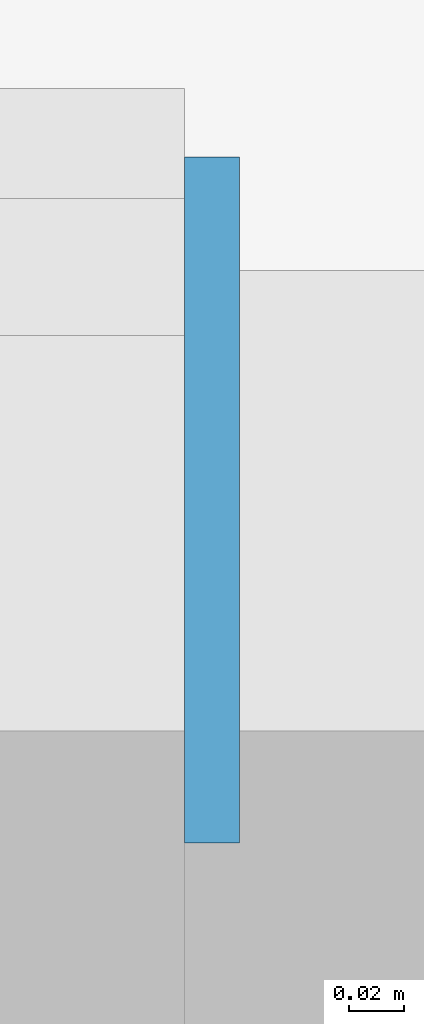
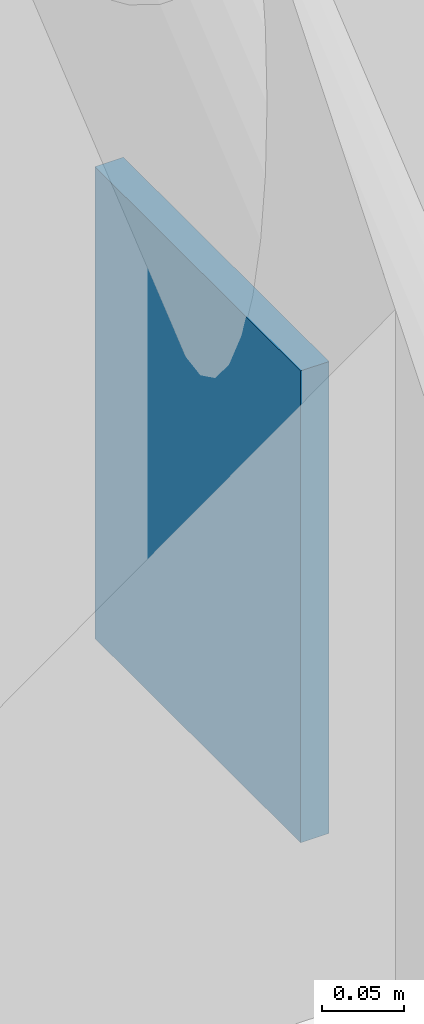
# One storey, part 85 of 90: 1 discrete accessory.
"""IFC4 building model written with IfcOpenShell, lengths in metres."""

from ifc_helpers import new_model, si_unit, direction, frame, origin, origin_2d, place, context, subcontext, project, spatial, rectangle, extrude, element, save


model = new_model("IFC4")

# Units and contexts
model_context = context("Model", 3, precision=1e-05, world=origin(), true_north=direction((0.0, 1.0)))
body_context = subcontext(model_context, "Body", "Model", "MODEL_VIEW")
ifc_project = project(units=[si_unit("LENGTHUNIT", "METRE"), si_unit("AREAUNIT", "SQUARE_METRE"), si_unit("VOLUMEUNIT", "CUBIC_METRE"), si_unit("PLANEANGLEUNIT", "RADIAN"), si_unit("MASSUNIT", "GRAM", prefix="KILO")], contexts=[model_context])

# Site, building, storey
site_placement = place(None, origin())
site = spatial("IfcSite", under=ifc_project, at=site_placement, CompositionType="ELEMENT")
building_placement = place(site_placement, origin())
building = spatial("IfcBuilding", under=site, at=building_placement, Name="Halyard Row Museum", CompositionType="ELEMENT")
storey_placement = place(building_placement, frame((0.0, 0.0, 13.39990234375)))
storey = spatial("IfcBuildingStorey", under=building, at=storey_placement, Name="L03", CompositionType="ELEMENT", Elevation=13.39990234375)

# Discrete accessory
discrete_accessory_placement = place(storey_placement, frame((103.5, 36.0, 0.215087890625), z_axis=(1.0, 0.0, 0.0), x_axis=(0.0, 1.0, 0.0)))
element("IfcDiscreteAccessory", 1, at=discrete_accessory_placement, inside=storey, Name="Brace L03 Y36 99-103.5 B cast-in plate", PredefinedType="ANCHORPLATE", context=body_context, shape_type="SweptSolid", body=[
    extrude(rectangle(XDim=0.25, YDim=0.35009765625, at=origin_2d()), origin(), (0.0, 0.0, 1.0), 0.02001953125),
])

save(model, "model.ifc")
